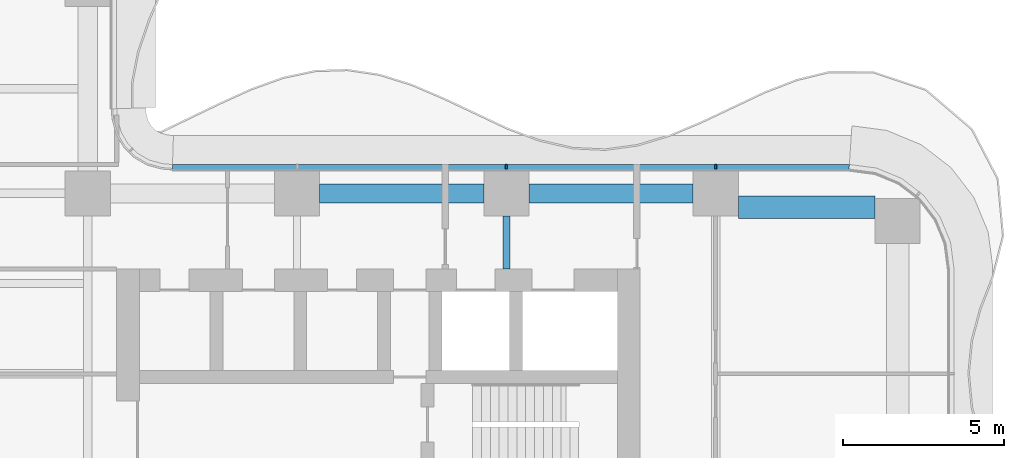
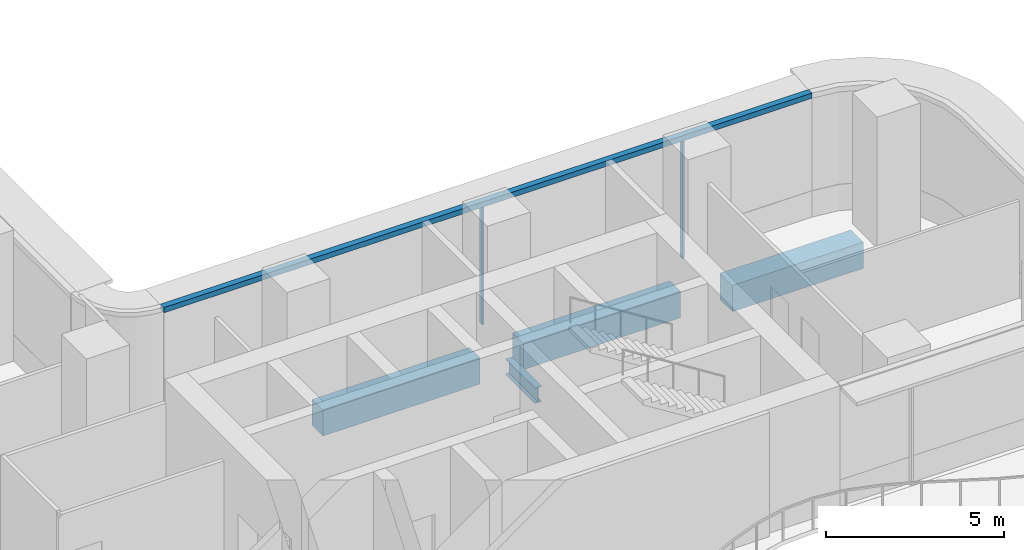
# One storey, part 11 of 22: 4 beams, 3 members, 1 element without a shape of its own.
"""IFC4 building model written with IfcOpenShell, lengths in metres."""

from ifc_helpers import new_model, si_unit, direction, frame, origin, origin_2d, place, context, subcontext, project, spatial, polyline, rectangle, i_section, outline, extrude, source, transform, mapped, material, layer, layer_set, material_profile, profile_set, type_object, element, aggregate, save


model = new_model("IFC4")

# Units and contexts
model_context = context("Model", 3, precision=1e-05, world=origin(), true_north=direction((0.0, 1.0)))
body_context = subcontext(model_context, "Body", "Model", "MODEL_VIEW")
ifc_project = project(units=[si_unit("LENGTHUNIT", "METRE"), si_unit("AREAUNIT", "SQUARE_METRE"), si_unit("VOLUMEUNIT", "CUBIC_METRE"), si_unit("PLANEANGLEUNIT", "RADIAN"), si_unit("MASSUNIT", "GRAM", prefix="KILO")], contexts=[model_context])

# Site, building, storey
site_placement = place(None, origin())
site = spatial("IfcSite", under=ifc_project, at=site_placement, CompositionType="ELEMENT")
building_placement = place(site_placement, origin())
building = spatial("IfcBuilding", under=site, at=building_placement, Name="Trellis Farm Tower", CompositionType="ELEMENT")
storey_placement = place(building_placement, frame((0.0, 0.0, 61.0)))
storey = spatial("IfcBuildingStorey", under=building, at=storey_placement, Name="L12", CompositionType="ELEMENT", Elevation=61.0)

# Beams
ifc_material_1 = material(Name="Concrete C60/75", Category="concrete")
ifc_material_profile_1 = material_profile(ifc_material_1, rectangle(XDim=0.60009765625, YDim=0.89990234375, at=origin_2d()), Name="RC spandrel beam 600x900 C60/75")
ifc_profile_set_1 = profile_set([ifc_material_profile_1], Name="Concrete C60/75")
beam_type_1 = type_object("IfcBeamType", Name="RC spandrel beam 600x900 C60/75", PredefinedType="SPANDREL", material=ifc_profile_set_1)
shared_shape_1 = source(origin(), body_context, "Body", "SweptSolid", [
    extrude(rectangle(XDim=0.60009765625, YDim=0.89990234375, at=origin_2d()), origin(), (0.0, 0.0, 1.0), 5.099853515625),
])
for number, where, z_axis, x_axis, name in (
    (1, (12.800048828125, 5.60009765625, -0.699951171875), (1.0, 0.0, 0.0), (0.0, 1.0, 0.0), "Girder"),
    (2, (19.300048828125, 5.60009765625, -0.699951171875), (1.0, 0.0, 0.0), (0.0, 1.0, 0.0), "Girder"),
):
    element("IfcBeam", number, at=place(storey_placement, frame(where, z_axis=z_axis, x_axis=x_axis)), inside=storey, type_object=beam_type_1, Name=name, PredefinedType="SPANDREL", context=body_context, shape_type="MappedRepresentation", body=[
        mapped(shared_shape_1, transform((0.0, 0.0, 0.0))),
    ])
ifc_material_profile_2 = material_profile(ifc_material_1, rectangle(XDim=0.699951171875, YDim=0.89990234375, at=origin_2d()), Name="RC spandrel beam 700x900 C60/75")
ifc_profile_set_2 = profile_set([ifc_material_profile_2], Name="Concrete C60/75")
beam_type_2 = type_object("IfcBeamType", Name="RC spandrel beam 700x900 C60/75", PredefinedType="SPANDREL", material=ifc_profile_set_2)
shared_shape_2 = source(origin(), body_context, "Body", "SweptSolid", [
    extrude(rectangle(XDim=0.699951171875, YDim=0.89990234375, at=origin_2d()), origin(), (0.0, 0.0, 1.0), 4.25),
])
beam_1_placement = place(storey_placement, frame((25.800048828125, 5.175048828125, -0.699951171875), z_axis=(1.0, 0.0, 0.0), x_axis=(0.0, 1.0, 0.0)))
element("IfcBeam", 3, at=beam_1_placement, inside=storey, type_object=beam_type_2, Name="Girder", PredefinedType="SPANDREL", context=body_context, shape_type="MappedRepresentation", body=[
    mapped(shared_shape_2, transform((0.0, 0.0, 0.0))),
])
ifc_material_2 = material(Name="Steel S355", Category="steel")
ifc_material_profile_3 = material_profile(ifc_material_2, i_section(OverallWidth=0.209228515625, OverallDepth=0.533203125, WebThickness=0.010009765625, FlangeThickness=0.015625, FilletRadius=0.0126953125, at=origin_2d()), Name="UB 533x210x92")
ifc_profile_set_3 = profile_set([ifc_material_profile_3], Name="Steel S355")
beam_type_3 = type_object("IfcBeamType", Name="UB 533x210x92", PredefinedType="BEAM", material=ifc_profile_set_3)
shared_shape_3 = source(origin(), body_context, "Body", "SweptSolid", [
    extrude(i_section(OverallWidth=0.209228515625, OverallDepth=0.533203125, WebThickness=0.010009765625, FlangeThickness=0.015625, FilletRadius=0.0126953125, at=origin_2d()), origin(), (0.0, 0.0, 1.0), 1.64990234375),
])
beam_2_placement = place(storey_placement, frame((18.60009765625, 3.25, -0.5166015625), z_axis=(0.0, 1.0, 0.0), x_axis=(-1.0, 0.0, 0.0)))
element("IfcBeam", 4, at=beam_2_placement, inside=storey, type_object=beam_type_3, Name="Girder", PredefinedType="BEAM", context=body_context, shape_type="MappedRepresentation", body=[
    mapped(shared_shape_3, transform((0.0, 0.0, 0.0))),
])

# Curtain wall, members
ifc_material_3 = material(Name="Aluminium and glass curtain wall", Category="aluminium")
ifc_layer_1 = layer(ifc_material_3, 0.18994140625)
ifc_layer_set_1 = layer_set([ifc_layer_1], Name="RIBBON CURTAIN WALL CW1")
curtain_wall_type = type_object("IfcCurtainWallType", Name="RIBBON CURTAIN WALL CW1", PredefinedType="NOTDEFINED", material=ifc_layer_set_1)
curtain_wall_placement = place(storey_placement, origin())
curtain_wall = element("IfcCurtainWall", 5, at=curtain_wall_placement, inside=storey, type_object=curtain_wall_type, Name="CW1 008", PredefinedType="NOTDEFINED")
ifc_material_4 = material(Name="Aluminium extrusion 6063-T6", Category="aluminium")
ifc_material_profile_4 = material_profile(ifc_material_4, rectangle(XDim=0.06005859375, YDim=0.14990234375, at=origin_2d()), Name="MULLION 60x150")
ifc_profile_set_4 = profile_set([ifc_material_profile_4], Name="Aluminium extrusion 6063-T6")
member_type_1 = type_object("IfcMemberType", Name="CW1 MULLION 60x150", PredefinedType="MULLION", material=ifc_profile_set_4)
shared_shape_4 = source(origin(), body_context, "Body", "SweptSolid", [
    extrude(rectangle(XDim=0.06005859375, YDim=0.14990234375, at=origin_2d()), origin(), (0.0, 0.0, 1.0), 4.070068359375),
])
member_1_placement = place(storey_placement, frame((25.10009765625, 6.425048828125, 0.0), z_axis=(0.0, 0.0, 1.0), x_axis=(-1.0, 0.0, 0.0)))
member_1 = element("IfcMember", 6, at=member_1_placement, type_object=member_type_1, Name="MU1 008-01", PredefinedType="MULLION", context=body_context, shape_type="MappedRepresentation", body=[
    mapped(shared_shape_4, transform((0.0, 0.0, 0.0))),
])
member_2_placement = place(storey_placement, frame((18.60009765625, 6.425048828125, 0.0), z_axis=(0.0, 0.0, 1.0), x_axis=(-1.0, 0.0, 0.0)))
member_2 = element("IfcMember", 7, at=member_2_placement, type_object=member_type_1, Name="MU1 008-02", PredefinedType="MULLION", context=body_context, shape_type="MappedRepresentation", body=[
    mapped(shared_shape_4, transform((0.0, 0.0, 0.0))),
])
ifc_layer_2 = layer(ifc_material_4, 0.199951171875)
ifc_layer_set_2 = layer_set([ifc_layer_2], Name="Aluminium extrusion 6063-T6")
member_type_2 = type_object("IfcMemberType", Name="CW1 TRANSOM 200x180", PredefinedType="USERDEFINED", material=ifc_layer_set_2)
shared_shape_5 = source(origin(), body_context, "Body", "SweptSolid", [
    extrude(outline(polyline([(29.25, 6.5), (8.2314453125, 6.5), (8.224853515625, 6.300048828125), (29.23681640625, 6.300048828125), (29.25, 6.5)])), origin(), (0.0, 0.0, 1.0), 0.179931640625),
])
member_3_placement = place(storey_placement, frame((0.0, 0.0, 4.070068359375)))
member_3 = element("IfcMember", 8, at=member_3_placement, type_object=member_type_2, Name="TR1 008", ObjectType="TRANSOM", PredefinedType="USERDEFINED", context=body_context, shape_type="MappedRepresentation", body=[
    mapped(shared_shape_5, transform((0.0, 0.0, 0.0))),
])
aggregate(curtain_wall, [member_1, member_2, member_3])

save(model, "model.ifc")
